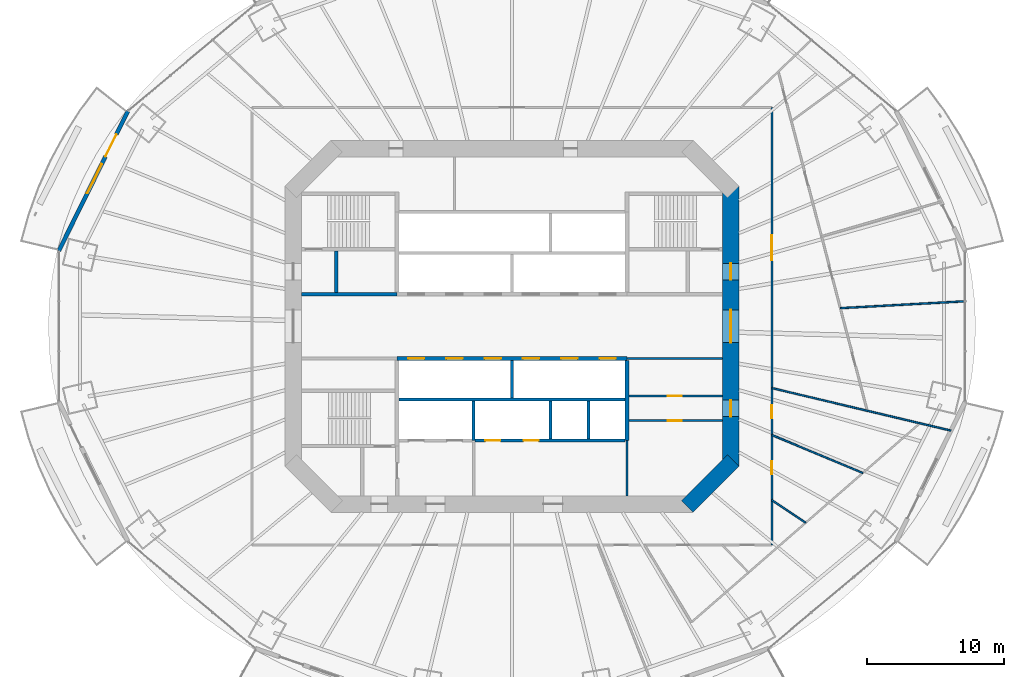
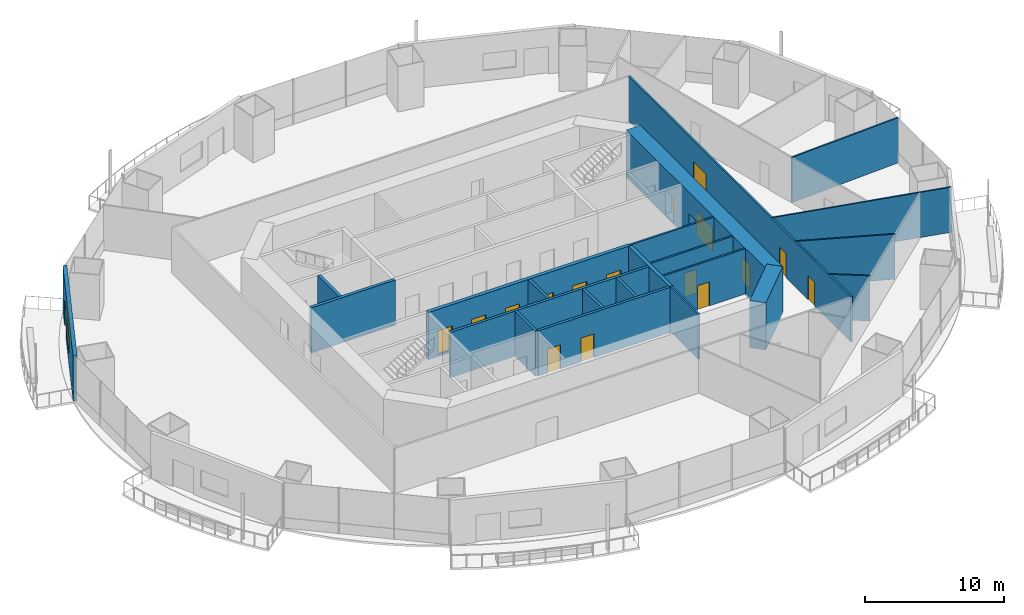
# One storey, part 14 of 21: 22 walls, 17 doors, 1 window, 18 openings.
"""IFC4 building model written with IfcOpenShell, lengths in metres."""

from ifc_helpers import new_model, si_unit, direction, frame, frame_2d, origin, place, context, subcontext, project, spatial, rectangle, extrude, material, layer, layer_set, type_object, element, fill, save


model = new_model("IFC4")

# Units and contexts
model_context = context("Model", 3, precision=1e-05, world=origin(), true_north=direction((0.0, 1.0)))
body_context = subcontext(model_context, "Body", "Model", "MODEL_VIEW")
ifc_project = project(units=[si_unit("LENGTHUNIT", "METRE"), si_unit("AREAUNIT", "SQUARE_METRE"), si_unit("VOLUMEUNIT", "CUBIC_METRE"), si_unit("PLANEANGLEUNIT", "RADIAN"), si_unit("MASSUNIT", "GRAM", prefix="KILO")], contexts=[model_context])

# Site, building, storey
site_placement = place(None, origin())
site = spatial("IfcSite", under=ifc_project, at=site_placement, CompositionType="ELEMENT")
building_placement = place(site_placement, origin())
building = spatial("IfcBuilding", under=site, at=building_placement, Name="Marenthal Gate Tower", CompositionType="ELEMENT")
storey_placement = place(building_placement, frame((0.0, 0.0, 120.14990234375)))
storey = spatial("IfcBuildingStorey", under=building, at=storey_placement, Name="L25", CompositionType="ELEMENT", Elevation=120.14990234375)

# Wall
ifc_material_1 = material(Name="Concrete 60 MPa", Category="concrete")
ifc_layer_1 = layer(ifc_material_1, 1.199951171875)
ifc_layer_set_1 = layer_set([ifc_layer_1], Name="Core shear wall 1200")
wall_type_1 = type_object("IfcWallType", Name="Core shear wall 1200", PredefinedType="SHEAR", material=ifc_layer_set_1)
wall_1_placement = place(storey_placement, frame((12.82421875, -13.17578125, -0.179931640625), z_axis=(0.0, 0.0, 1.0), x_axis=(0.707106781187, 0.707106781187, 0.0)))
element("IfcWall", 1, at=wall_1_placement, inside=storey, type_object=wall_type_1, Name="Core wall 01", PredefinedType="SHEAR", context=body_context, shape_type="SweptSolid", body=[
    extrude(rectangle(XDim=4.73974609375, YDim=1.199951171875, at=frame_2d((2.369873046875, 0.0))), origin(), (0.0, 0.0, 1.0), 4.150146484375),
])

# Wall, openings, doors
wall_2_placement = place(storey_placement, frame((16.0, -10.24853515625, -0.179931640625), z_axis=(0.0, 0.0, 1.0), x_axis=(0.0, 1.0, 0.0)))
wall_2 = element("IfcWall", 2, at=wall_2_placement, inside=storey, type_object=wall_type_1, Name="Core wall 02", PredefinedType="SHEAR", context=body_context, shape_type="SweptSolid", body=[
    extrude(rectangle(XDim=20.4970703125, YDim=1.199951171875, at=frame_2d((10.24853515625, 0.0))), origin(), (0.0, 0.0, 1.0), 4.150146484375),
])
opening_1_placement = place(wall_2_placement, frame((9.048583984375, 0.0, 0.179931640625)))
opening_1 = element("IfcOpeningElement", 3, at=opening_1_placement, cuts=wall_2, Name="Opening D003.02", PredefinedType="OPENING", context=body_context, shape_type="SweptSolid", body=[
    extrude(rectangle(XDim=2.39990234375, YDim=2.10009765625, at=frame_2d((1.199951171875, 1.050048828125))), frame((0.0, 0.60986328125, 0.0), z_axis=(0.0, -1.0, 0.0), x_axis=(1.0, 0.0, 0.0)), (0.0, 0.0, 1.0), 1.219970703125),
])
opening_2_placement = place(wall_2_placement, frame((13.6484375, 0.0, 0.179931640625)))
opening_2 = element("IfcOpeningElement", 4, at=opening_2_placement, cuts=wall_2, Name="Opening D001.05", PredefinedType="OPENING", context=body_context, shape_type="SweptSolid", body=[
    extrude(rectangle(XDim=1.199951171875, YDim=2.10009765625, at=frame_2d((0.60009765625, 1.050048828125))), frame((0.0, 0.60986328125, 0.0), z_axis=(0.0, -1.0, 0.0), x_axis=(1.0, 0.0, 0.0)), (0.0, 0.0, 1.0), 1.219970703125),
])
opening_3_placement = place(wall_2_placement, frame((3.6484375, 0.0, 0.179931640625)))
opening_3 = element("IfcOpeningElement", 5, at=opening_3_placement, cuts=wall_2, Name="Opening D006.01", PredefinedType="OPENING", context=body_context, shape_type="SweptSolid", body=[
    extrude(rectangle(XDim=1.199951171875, YDim=2.10009765625, at=frame_2d((0.60009765625, 1.050048828125))), frame((0.0, 0.60986328125, 0.0), z_axis=(0.0, -1.0, 0.0), x_axis=(1.0, 0.0, 0.0)), (0.0, 0.0, 1.0), 1.219970703125),
])
ifc_material_2 = material(Name="Steel fire door", Category="steel")
door_type_1 = type_object("IfcDoorType", Name="Double fire door FD 45 2400 x 2100", OperationType="DOUBLE_DOOR_SINGLE_SWING", PredefinedType="DOOR", material=ifc_material_2)
door_1_placement = place(opening_1_placement, origin())
door_1 = element("IfcDoor", 6, at=door_1_placement, inside=storey, type_object=door_type_1, Name="Door D003.02", OperationType="DOUBLE_DOOR_SINGLE_SWING", OverallHeight=2.10009765625, OverallWidth=2.39990234375, PredefinedType="DOOR", context=body_context, shape_type="SweptSolid", body=[
    extrude(rectangle(XDim=2.39990234375, YDim=2.10009765625, at=frame_2d((1.199951171875, 1.050048828125))), frame((0.0, 0.02490234375, 0.0), z_axis=(0.0, -1.0, 0.0), x_axis=(1.0, 0.0, 0.0)), (0.0, 0.0, 1.0), 0.050048828125),
])
fill(opening_1, door_1)
ifc_material_3 = material(Name="Steel fire door", Category="steel")
door_type_2 = type_object("IfcDoorType", Name="Fire door FD 45 1200 x 2100", OperationType="NOTDEFINED", PredefinedType="DOOR", material=ifc_material_3)
door_2_placement = place(opening_3_placement, origin())
door_2 = element("IfcDoor", 7, at=door_2_placement, inside=storey, type_object=door_type_2, Name="Door D006.01", OperationType="SINGLE_SWING_RIGHT", OverallHeight=2.10009765625, OverallWidth=1.199951171875, PredefinedType="DOOR", context=body_context, shape_type="SweptSolid", body=[
    extrude(rectangle(XDim=1.199951171875, YDim=2.10009765625, at=frame_2d((0.60009765625, 1.050048828125))), frame((0.0, 0.02490234375, 0.0), z_axis=(0.0, -1.0, 0.0), x_axis=(1.0, 0.0, 0.0)), (0.0, 0.0, 1.0), 0.050048828125),
])
fill(opening_3, door_2)
ifc_material_4 = material(Name="Steel fire door", Category="steel")
door_type_3 = type_object("IfcDoorType", Name="Fire door FD 90 1200 x 2100", OperationType="NOTDEFINED", PredefinedType="DOOR", material=ifc_material_4)
door_3_placement = place(opening_2_placement, origin())
door_3 = element("IfcDoor", 8, at=door_3_placement, inside=storey, type_object=door_type_3, Name="Door D001.05", OperationType="SINGLE_SWING_RIGHT", OverallHeight=2.10009765625, OverallWidth=1.199951171875, PredefinedType="DOOR", context=body_context, shape_type="SweptSolid", body=[
    extrude(rectangle(XDim=1.199951171875, YDim=2.10009765625, at=frame_2d((0.60009765625, 1.050048828125))), frame((0.0, 0.02490234375, 0.0), z_axis=(0.0, -1.0, 0.0), x_axis=(1.0, 0.0, 0.0)), (0.0, 0.0, 1.0), 0.050048828125),
])
fill(opening_2, door_3)

ifc_material_5 = material(Name="Concrete 50 MPa", Category="concrete")
ifc_layer_2 = layer(ifc_material_5, 0.300048828125)
ifc_layer_set_2 = layer_set([ifc_layer_2], Name="Hoistway shear wall 300")
wall_type_2 = type_object("IfcWallType", Name="Hoistway shear wall 300", PredefinedType="SHEAR", material=ifc_layer_set_2)
wall_3_placement = place(storey_placement, frame((-8.39990234375, -2.35009765625, -0.179931640625), z_axis=(0.0, 0.0, 1.0), x_axis=(1.0, 0.0, 0.0)))
wall_3 = element("IfcWall", 9, at=wall_3_placement, inside=storey, type_object=wall_type_2, Name="Hoistway wall 17", PredefinedType="SHEAR", context=body_context, shape_type="SweptSolid", body=[
    extrude(rectangle(XDim=16.7998046875, YDim=0.300048828125, at=frame_2d((8.39990234375, 0.0))), origin(), (0.0, 0.0, 1.0), 4.150146484375),
])
opening_4_placement = place(wall_3_placement, frame((0.800048828125, 0.0, 0.179931640625)))
opening_4 = element("IfcOpeningElement", 10, at=opening_4_placement, cuts=wall_3, Name="Opening LD-LP7", PredefinedType="OPENING", context=body_context, shape_type="SweptSolid", body=[
    extrude(rectangle(XDim=1.199951171875, YDim=2.10009765625, at=frame_2d((0.60009765625, 1.050048828125))), frame((0.0, 0.16015625, 0.0), z_axis=(0.0, -1.0, 0.0), x_axis=(1.0, 0.0, 0.0)), (0.0, 0.0, 1.0), 0.320068359375),
])
opening_5_placement = place(wall_3_placement, frame((3.60009765625, 0.0, 0.179931640625)))
opening_5 = element("IfcOpeningElement", 11, at=opening_5_placement, cuts=wall_3, Name="Opening LD-LP8", PredefinedType="OPENING", context=body_context, shape_type="SweptSolid", body=[
    extrude(rectangle(XDim=1.199951171875, YDim=2.10009765625, at=frame_2d((0.60009765625, 1.050048828125))), frame((0.0, 0.16015625, 0.0), z_axis=(0.0, -1.0, 0.0), x_axis=(1.0, 0.0, 0.0)), (0.0, 0.0, 1.0), 0.320068359375),
])
opening_6_placement = place(wall_3_placement, frame((6.39990234375, 0.0, 0.179931640625)))
opening_6 = element("IfcOpeningElement", 12, at=opening_6_placement, cuts=wall_3, Name="Opening LD-LP9", PredefinedType="OPENING", context=body_context, shape_type="SweptSolid", body=[
    extrude(rectangle(XDim=1.199951171875, YDim=2.10009765625, at=frame_2d((0.60009765625, 1.050048828125))), frame((0.0, 0.16015625, 0.0), z_axis=(0.0, -1.0, 0.0), x_axis=(1.0, 0.0, 0.0)), (0.0, 0.0, 1.0), 0.320068359375),
])
opening_7_placement = place(wall_3_placement, frame((9.199951171875, 0.0, 0.179931640625)))
opening_7 = element("IfcOpeningElement", 13, at=opening_7_placement, cuts=wall_3, Name="Opening LD-LP10", PredefinedType="OPENING", context=body_context, shape_type="SweptSolid", body=[
    extrude(rectangle(XDim=1.199951171875, YDim=2.10009765625, at=frame_2d((0.60009765625, 1.050048828125))), frame((0.0, 0.16015625, 0.0), z_axis=(0.0, -1.0, 0.0), x_axis=(1.0, 0.0, 0.0)), (0.0, 0.0, 1.0), 0.320068359375),
])
opening_8_placement = place(wall_3_placement, frame((12.0, 0.0, 0.179931640625)))
opening_8 = element("IfcOpeningElement", 14, at=opening_8_placement, cuts=wall_3, Name="Opening LD-LP11", PredefinedType="OPENING", context=body_context, shape_type="SweptSolid", body=[
    extrude(rectangle(XDim=1.199951171875, YDim=2.10009765625, at=frame_2d((0.60009765625, 1.050048828125))), frame((0.0, 0.16015625, 0.0), z_axis=(0.0, -1.0, 0.0), x_axis=(1.0, 0.0, 0.0)), (0.0, 0.0, 1.0), 0.320068359375),
])
opening_9_placement = place(wall_3_placement, frame((14.800048828125, 0.0, 0.179931640625)))
opening_9 = element("IfcOpeningElement", 15, at=opening_9_placement, cuts=wall_3, Name="Opening LD-LP12", PredefinedType="OPENING", context=body_context, shape_type="SweptSolid", body=[
    extrude(rectangle(XDim=1.199951171875, YDim=2.10009765625, at=frame_2d((0.60009765625, 1.050048828125))), frame((0.0, 0.16015625, 0.0), z_axis=(0.0, -1.0, 0.0), x_axis=(1.0, 0.0, 0.0)), (0.0, 0.0, 1.0), 0.320068359375),
])
ifc_material_6 = material(Name="Stainless steel sliding door", Category="steel")
door_type_4 = type_object("IfcDoorType", Name="Lift landing door FD 90 1200 x 2100", OperationType="DOUBLE_DOOR_SLIDING", PredefinedType="DOOR", material=ifc_material_6)
door_4_placement = place(opening_4_placement, origin())
door_4 = element("IfcDoor", 16, at=door_4_placement, inside=storey, type_object=door_type_4, Name="Lift landing door LP7", OperationType="DOUBLE_DOOR_SLIDING", OverallHeight=2.10009765625, OverallWidth=1.199951171875, PredefinedType="DOOR", context=body_context, shape_type="SweptSolid", body=[
    extrude(rectangle(XDim=1.199951171875, YDim=2.10009765625, at=frame_2d((0.60009765625, 1.050048828125))), frame((0.0, 0.02490234375, 0.0), z_axis=(0.0, -1.0, 0.0), x_axis=(1.0, 0.0, 0.0)), (0.0, 0.0, 1.0), 0.050048828125),
])
fill(opening_4, door_4)
door_5_placement = place(opening_5_placement, origin())
door_5 = element("IfcDoor", 17, at=door_5_placement, inside=storey, type_object=door_type_4, Name="Lift landing door LP8", OperationType="DOUBLE_DOOR_SLIDING", OverallHeight=2.10009765625, OverallWidth=1.199951171875, PredefinedType="DOOR", context=body_context, shape_type="SweptSolid", body=[
    extrude(rectangle(XDim=1.199951171875, YDim=2.10009765625, at=frame_2d((0.60009765625, 1.050048828125))), frame((0.0, 0.02490234375, 0.0), z_axis=(0.0, -1.0, 0.0), x_axis=(1.0, 0.0, 0.0)), (0.0, 0.0, 1.0), 0.050048828125),
])
fill(opening_5, door_5)
door_6_placement = place(opening_6_placement, origin())
door_6 = element("IfcDoor", 18, at=door_6_placement, inside=storey, type_object=door_type_4, Name="Lift landing door LP9", OperationType="DOUBLE_DOOR_SLIDING", OverallHeight=2.10009765625, OverallWidth=1.199951171875, PredefinedType="DOOR", context=body_context, shape_type="SweptSolid", body=[
    extrude(rectangle(XDim=1.199951171875, YDim=2.10009765625, at=frame_2d((0.60009765625, 1.050048828125))), frame((0.0, 0.02490234375, 0.0), z_axis=(0.0, -1.0, 0.0), x_axis=(1.0, 0.0, 0.0)), (0.0, 0.0, 1.0), 0.050048828125),
])
fill(opening_6, door_6)
door_7_placement = place(opening_7_placement, origin())
door_7 = element("IfcDoor", 19, at=door_7_placement, inside=storey, type_object=door_type_4, Name="Lift landing door LP10", OperationType="DOUBLE_DOOR_SLIDING", OverallHeight=2.10009765625, OverallWidth=1.199951171875, PredefinedType="DOOR", context=body_context, shape_type="SweptSolid", body=[
    extrude(rectangle(XDim=1.199951171875, YDim=2.10009765625, at=frame_2d((0.60009765625, 1.050048828125))), frame((0.0, 0.02490234375, 0.0), z_axis=(0.0, -1.0, 0.0), x_axis=(1.0, 0.0, 0.0)), (0.0, 0.0, 1.0), 0.050048828125),
])
fill(opening_7, door_7)
door_8_placement = place(opening_8_placement, origin())
door_8 = element("IfcDoor", 20, at=door_8_placement, inside=storey, type_object=door_type_4, Name="Lift landing door LP11", OperationType="DOUBLE_DOOR_SLIDING", OverallHeight=2.10009765625, OverallWidth=1.199951171875, PredefinedType="DOOR", context=body_context, shape_type="SweptSolid", body=[
    extrude(rectangle(XDim=1.199951171875, YDim=2.10009765625, at=frame_2d((0.60009765625, 1.050048828125))), frame((0.0, 0.02490234375, 0.0), z_axis=(0.0, -1.0, 0.0), x_axis=(1.0, 0.0, 0.0)), (0.0, 0.0, 1.0), 0.050048828125),
])
fill(opening_8, door_8)
door_9_placement = place(opening_9_placement, origin())
door_9 = element("IfcDoor", 21, at=door_9_placement, inside=storey, type_object=door_type_4, Name="Lift landing door LP12", OperationType="DOUBLE_DOOR_SLIDING", OverallHeight=2.10009765625, OverallWidth=1.199951171875, PredefinedType="DOOR", context=body_context, shape_type="SweptSolid", body=[
    extrude(rectangle(XDim=1.199951171875, YDim=2.10009765625, at=frame_2d((0.60009765625, 1.050048828125))), frame((0.0, 0.02490234375, 0.0), z_axis=(0.0, -1.0, 0.0), x_axis=(1.0, 0.0, 0.0)), (0.0, 0.0, 1.0), 0.050048828125),
])
fill(opening_9, door_9)

# Wall
wall_4_placement = place(storey_placement, frame((8.39990234375, -8.35009765625, -0.179931640625), z_axis=(0.0, 0.0, 1.0), x_axis=(0.0, 1.0, 0.0)))
element("IfcWall", 22, at=wall_4_placement, inside=storey, type_object=wall_type_2, Name="Hoistway wall 43", PredefinedType="SHEAR", context=body_context, shape_type="SweptSolid", body=[
    extrude(rectangle(XDim=5.85009765625, YDim=0.300048828125, at=frame_2d((2.925048828125, 0.0))), origin(), (0.0, 0.0, 1.0), 4.150146484375),
])

# Wall, openings, doors
ifc_material_7 = material(Name="Concrete 40 MPa", Category="concrete")
ifc_layer_3 = layer(ifc_material_7, 0.219970703125)
ifc_layer_set_3 = layer_set([ifc_layer_3], Name="Hoistway wall 220")
wall_type_3 = type_object("IfcWallType", Name="Hoistway wall 220", PredefinedType="STANDARD", material=ifc_layer_set_3)
wall_5_placement = place(storey_placement, frame((-2.68994140625, -8.35009765625, 0.0), z_axis=(0.0, 0.0, 1.0), x_axis=(1.0, 0.0, 0.0)))
wall_5 = element("IfcWall", 23, at=wall_5_placement, inside=storey, type_object=wall_type_3, Name="Hoistway wall 11", PredefinedType="STANDARD", context=body_context, shape_type="SweptSolid", body=[
    extrude(rectangle(XDim=10.93994140625, YDim=0.219970703125, at=frame_2d((5.469970703125, 0.0))), origin(), (0.0, 0.0, 1.0), 3.97021484375),
])
opening_10_placement = place(wall_5_placement, frame((0.739990234375, 0.0, 0.0)))
opening_10 = element("IfcOpeningElement", 24, at=opening_10_placement, cuts=wall_5, Name="Opening LD-SV1", PredefinedType="OPENING", context=body_context, shape_type="SweptSolid", body=[
    extrude(rectangle(XDim=1.10009765625, YDim=2.10009765625, at=frame_2d((0.550048828125, 1.050048828125))), frame((0.0, 0.1201171875, 0.0), z_axis=(0.0, -1.0, 0.0), x_axis=(1.0, 0.0, 0.0)), (0.0, 0.0, 1.0), 0.239990234375),
])
opening_11_placement = place(wall_5_placement, frame((3.5400390625, 0.0, 0.0)))
opening_11 = element("IfcOpeningElement", 25, at=opening_11_placement, cuts=wall_5, Name="Opening LD-SV2", PredefinedType="OPENING", context=body_context, shape_type="SweptSolid", body=[
    extrude(rectangle(XDim=1.10009765625, YDim=2.10009765625, at=frame_2d((0.550048828125, 1.050048828125))), frame((0.0, 0.1201171875, 0.0), z_axis=(0.0, -1.0, 0.0), x_axis=(1.0, 0.0, 0.0)), (0.0, 0.0, 1.0), 0.239990234375),
])
ifc_material_8 = material(Name="Stainless steel sliding door", Category="steel")
door_type_5 = type_object("IfcDoorType", Name="Lift landing door FD 90 1100 x 2100", OperationType="DOUBLE_DOOR_SLIDING", PredefinedType="DOOR", material=ifc_material_8)
door_10_placement = place(opening_10_placement, origin())
door_10 = element("IfcDoor", 26, at=door_10_placement, inside=storey, type_object=door_type_5, Name="Lift landing door SV1", OperationType="DOUBLE_DOOR_SLIDING", OverallHeight=2.10009765625, OverallWidth=1.10009765625, PredefinedType="DOOR", context=body_context, shape_type="SweptSolid", body=[
    extrude(rectangle(XDim=1.10009765625, YDim=2.10009765625, at=frame_2d((0.550048828125, 1.050048828125))), frame((0.0, 0.02490234375, 0.0), z_axis=(0.0, -1.0, 0.0), x_axis=(1.0, 0.0, 0.0)), (0.0, 0.0, 1.0), 0.050048828125),
])
fill(opening_10, door_10)
door_11_placement = place(opening_11_placement, origin())
door_11 = element("IfcDoor", 27, at=door_11_placement, inside=storey, type_object=door_type_5, Name="Lift landing door SV2", OperationType="DOUBLE_DOOR_SLIDING", OverallHeight=2.10009765625, OverallWidth=1.10009765625, PredefinedType="DOOR", context=body_context, shape_type="SweptSolid", body=[
    extrude(rectangle(XDim=1.10009765625, YDim=2.10009765625, at=frame_2d((0.550048828125, 1.050048828125))), frame((0.0, 0.02490234375, 0.0), z_axis=(0.0, -1.0, 0.0), x_axis=(1.0, 0.0, 0.0)), (0.0, 0.0, 1.0), 0.050048828125),
])
fill(opening_11, door_11)

# Walls
wall_6_placement = place(storey_placement, frame((-8.25, -5.35009765625, 0.0), z_axis=(0.0, 0.0, 1.0), x_axis=(1.0, 0.0, 0.0)))
element("IfcWall", 28, at=wall_6_placement, inside=storey, type_object=wall_type_3, Name="Hoistway wall 13", PredefinedType="STANDARD", context=body_context, shape_type="SweptSolid", body=[
    extrude(rectangle(XDim=16.5, YDim=0.219970703125, at=frame_2d((8.25, 0.0))), origin(), (0.0, 0.0, 1.0), 3.97021484375),
])
wall_7_placement = place(storey_placement, frame((-2.800048828125, -8.35009765625, 0.0), z_axis=(0.0, 0.0, 1.0), x_axis=(0.0, 1.0, 0.0)))
element("IfcWall", 29, at=wall_7_placement, inside=storey, type_object=wall_type_3, Name="Hoistway wall 36", PredefinedType="STANDARD", context=body_context, shape_type="SweptSolid", body=[
    extrude(rectangle(XDim=2.89013671875, YDim=0.219970703125, at=frame_2d((1.445068359375, 0.0))), origin(), (0.0, 0.0, 1.0), 3.97021484375),
])
wall_8_placement = place(storey_placement, frame((0.0, -5.239990234375, 0.0), z_axis=(0.0, 0.0, 1.0), x_axis=(0.0, 1.0, 0.0)))
element("IfcWall", 30, at=wall_8_placement, inside=storey, type_object=wall_type_3, Name="Hoistway wall 37", PredefinedType="STANDARD", context=body_context, shape_type="SweptSolid", body=[
    extrude(rectangle(XDim=2.739990234375, YDim=0.219970703125, at=frame_2d((1.3701171875, 0.0))), origin(), (0.0, 0.0, 1.0), 3.97021484375),
])
for number, where, z_axis, x_axis, name in (
    (31, (2.800048828125, -8.239990234375, 0.0), (0.0, 0.0, 1.0), (0.0, 1.0, 0.0), "Hoistway wall 39"),
    (32, (5.60009765625, -8.239990234375, 0.0), (0.0, 0.0, 1.0), (0.0, 1.0, 0.0), "Hoistway wall 41"),
):
    element("IfcWall", number, at=place(storey_placement, frame(where, z_axis=z_axis, x_axis=x_axis)), inside=storey, type_object=wall_type_3, Name=name, PredefinedType="STANDARD", context=body_context, shape_type="SweptSolid", body=[
        extrude(rectangle(XDim=2.780029296875, YDim=0.219970703125, at=frame_2d((1.39013671875, 0.0))), origin(), (0.0, 0.0, 1.0), 3.97021484375),
    ])
ifc_material_9 = material(Name="Gypsum board on steel studs", Category="steel")
ifc_layer_4 = layer(ifc_material_9, 0.1201171875)
ifc_layer_set_4 = layer_set([ifc_layer_4], Name="Partition 120")
wall_type_4 = type_object("IfcWallType", Name="Partition 120", PredefinedType="PARTITIONING", material=ifc_layer_set_4)
wall_9_placement = place(storey_placement, frame((19.0, -4.5146484375, 0.0), z_axis=(0.0, 0.0, 1.0), x_axis=(0.972908867851, -0.231188959202, 0.0)))
element("IfcWall", 33, at=wall_9_placement, inside=storey, type_object=wall_type_4, Name="Partition wall 56", PredefinedType="PARTITIONING", context=body_context, shape_type="SweptSolid", body=[
    extrude(rectangle(XDim=13.461181640625, YDim=0.1201171875, at=frame_2d((6.73046875, 0.0))), origin(), (0.0, 0.0, 1.0), 3.97021484375),
])
wall_10_placement = place(storey_placement, frame((21.4765625, -14.363037109375, 0.0), z_axis=(0.0, 0.0, 1.0), x_axis=(-0.831242578358, 0.555909863129, 0.0)))
element("IfcWall", 34, at=wall_10_placement, inside=storey, type_object=wall_type_4, Name="Partition wall 58", PredefinedType="PARTITIONING", context=body_context, shape_type="SweptSolid", body=[
    extrude(rectangle(XDim=2.979248046875, YDim=0.1201171875, at=frame_2d((1.48974609375, 0.0))), origin(), (0.0, 0.0, 1.0), 3.97021484375),
])
wall_11_placement = place(storey_placement, frame((25.653076171875, -10.7255859375, 0.0), z_axis=(0.0, 0.0, 1.0), x_axis=(-0.922602442877, 0.385752164476, 0.0)))
element("IfcWall", 35, at=wall_11_placement, inside=storey, type_object=wall_type_4, Name="Partition wall 60", PredefinedType="PARTITIONING", context=body_context, shape_type="SweptSolid", body=[
    extrude(rectangle(XDim=7.211181640625, YDim=0.1201171875, at=frame_2d((3.60546875, 0.0))), origin(), (0.0, 0.0, 1.0), 3.97021484375),
])
wall_12_placement = place(storey_placement, frame((33.134765625, 1.831787109375, 0.0), z_axis=(0.0, 0.0, 1.0), x_axis=(-0.998475116473, -0.055203639227, 0.0)))
element("IfcWall", 36, at=wall_12_placement, inside=storey, type_object=wall_type_4, Name="Partition wall 63", PredefinedType="PARTITIONING", context=body_context, shape_type="SweptSolid", body=[
    extrude(rectangle(XDim=9.136962890625, YDim=0.1201171875, at=frame_2d((4.568359375, 0.0))), origin(), (0.0, 0.0, 1.0), 3.97021484375),
])

# Wall, opening, door
ifc_material_10 = material(Name="Gypsum board on steel studs", Category="steel")
ifc_layer_5 = layer(ifc_material_10, 0.14990234375)
ifc_layer_set_5 = layer_set([ifc_layer_5], Name="Partition 150")
wall_type_5 = type_object("IfcWallType", Name="Partition 150", PredefinedType="PARTITIONING", material=ifc_layer_set_5)
wall_13_placement = place(storey_placement, frame((8.550048828125, -6.89990234375, 0.0), z_axis=(0.0, 0.0, 1.0), x_axis=(1.0, 0.0, 0.0)))
wall_13 = element("IfcWall", 37, at=wall_13_placement, inside=storey, type_object=wall_type_5, Name="Partition wall 12", PredefinedType="PARTITIONING", context=body_context, shape_type="SweptSolid", body=[
    extrude(rectangle(XDim=6.849853515625, YDim=0.14990234375, at=frame_2d((3.4248046875, 0.0))), origin(), (0.0, 0.0, 1.0), 3.97021484375),
])
opening_12_placement = place(wall_13_placement, frame((2.85009765625, 0.0, 0.0)))
opening_12 = element("IfcOpeningElement", 38, at=opening_12_placement, cuts=wall_13, Name="Opening D005.04", PredefinedType="OPENING", context=body_context, shape_type="SweptSolid", body=[
    extrude(rectangle(XDim=1.0, YDim=2.10009765625, at=frame_2d((0.5, 1.050048828125))), frame((0.0, 0.0849609375, 0.0), z_axis=(0.0, -1.0, 0.0), x_axis=(1.0, 0.0, 0.0)), (0.0, 0.0, 1.0), 0.169921875),
])
ifc_material_11 = material(Name="Steel fire door", Category="steel")
door_type_6 = type_object("IfcDoorType", Name="Fire door FD 45 1000 x 2100", OperationType="NOTDEFINED", PredefinedType="DOOR", material=ifc_material_11)
door_12_placement = place(opening_12_placement, frame((1.0, 0.0, 0.0), z_axis=(0.0, 0.0, 1.0), x_axis=(-1.0, 0.0, 0.0)))
door_12 = element("IfcDoor", 39, at=door_12_placement, inside=storey, type_object=door_type_6, Name="Door D005.04", OperationType="SINGLE_SWING_LEFT", OverallHeight=2.10009765625, OverallWidth=1.0, PredefinedType="DOOR", context=body_context, shape_type="SweptSolid", body=[
    extrude(rectangle(XDim=1.0, YDim=2.10009765625, at=frame_2d((0.5, 1.050048828125))), frame((0.0, 0.02490234375, 0.0), z_axis=(0.0, -1.0, 0.0), x_axis=(1.0, 0.0, 0.0)), (0.0, 0.0, 1.0), 0.050048828125),
])
fill(opening_12, door_12)

wall_14_placement = place(storey_placement, frame((8.550048828125, -5.10009765625, 0.0), z_axis=(0.0, 0.0, 1.0), x_axis=(1.0, 0.0, 0.0)))
wall_14 = element("IfcWall", 40, at=wall_14_placement, inside=storey, type_object=wall_type_5, Name="Partition wall 14", PredefinedType="PARTITIONING", context=body_context, shape_type="SweptSolid", body=[
    extrude(rectangle(XDim=6.849853515625, YDim=0.14990234375, at=frame_2d((3.4248046875, 0.0))), origin(), (0.0, 0.0, 1.0), 3.97021484375),
])
opening_13_placement = place(wall_14_placement, frame((2.85009765625, 0.0, 0.0)))
opening_13 = element("IfcOpeningElement", 41, at=opening_13_placement, cuts=wall_14, Name="Opening D005.03", PredefinedType="OPENING", context=body_context, shape_type="SweptSolid", body=[
    extrude(rectangle(XDim=1.0, YDim=2.10009765625, at=frame_2d((0.5, 1.050048828125))), frame((0.0, 0.0849609375, 0.0), z_axis=(0.0, -1.0, 0.0), x_axis=(1.0, 0.0, 0.0)), (0.0, 0.0, 1.0), 0.169921875),
])
door_13_placement = place(opening_13_placement, origin())
door_13 = element("IfcDoor", 42, at=door_13_placement, inside=storey, type_object=door_type_6, Name="Door D005.03", OperationType="SINGLE_SWING_RIGHT", OverallHeight=2.10009765625, OverallWidth=1.0, PredefinedType="DOOR", context=body_context, shape_type="SweptSolid", body=[
    extrude(rectangle(XDim=1.0, YDim=2.10009765625, at=frame_2d((0.5, 1.050048828125))), frame((0.0, 0.02490234375, 0.0), z_axis=(0.0, -1.0, 0.0), x_axis=(1.0, 0.0, 0.0)), (0.0, 0.0, 1.0), 0.050048828125),
])
fill(opening_13, door_13)

# Walls
wall_15_placement = place(storey_placement, frame((8.39990234375, -2.35009765625, 0.0), z_axis=(0.0, 0.0, 1.0), x_axis=(1.0, 0.0, 0.0)))
element("IfcWall", 43, at=wall_15_placement, inside=storey, type_object=wall_type_5, Name="Partition wall 18", PredefinedType="PARTITIONING", context=body_context, shape_type="SweptSolid", body=[
    extrude(rectangle(XDim=7.0, YDim=0.14990234375, at=frame_2d((3.5, 0.0))), origin(), (0.0, 0.0, 1.0), 3.97021484375),
])
wall_16_placement = place(storey_placement, frame((8.39990234375, -12.39990234375, 0.0), z_axis=(0.0, 0.0, 1.0), x_axis=(0.0, 1.0, 0.0)))
element("IfcWall", 44, at=wall_16_placement, inside=storey, type_object=wall_type_5, Name="Partition wall 42", PredefinedType="PARTITIONING", context=body_context, shape_type="SweptSolid", body=[
    extrude(rectangle(XDim=4.0498046875, YDim=0.14990234375, at=frame_2d((2.02490234375, 0.0))), origin(), (0.0, 0.0, 1.0), 3.97021484375),
])

# Wall, openings, doors
wall_17_placement = place(storey_placement, frame((19.0, 16.0, 0.0), z_axis=(0.0, 0.0, 1.0), x_axis=(0.0, -1.0, 0.0)))
wall_17 = element("IfcWall", 45, at=wall_17_placement, inside=storey, type_object=wall_type_5, Name="Partition wall 57", PredefinedType="PARTITIONING", context=body_context, shape_type="SweptSolid", body=[
    extrude(rectangle(XDim=32.0, YDim=0.14990234375, at=frame_2d((16.0, 0.0))), origin(), (0.0, 0.0, 1.0), 3.97021484375),
])
opening_14_placement = place(wall_17_placement, frame((25.85107421875, 0.0, 0.0)))
opening_14 = element("IfcOpeningElement", 46, at=opening_14_placement, cuts=wall_17, Name="Opening D016.03", PredefinedType="OPENING", context=body_context, shape_type="SweptSolid", body=[
    extrude(rectangle(XDim=0.949951171875, YDim=2.10009765625, at=frame_2d((0.47509765625, 1.050048828125))), frame((0.0, 0.0849609375, 0.0), z_axis=(0.0, -1.0, 0.0), x_axis=(1.0, 0.0, 0.0)), (0.0, 0.0, 1.0), 0.169921875),
])
opening_15_placement = place(wall_17_placement, frame((21.7548828125, 0.0, 0.0)))
opening_15 = element("IfcOpeningElement", 47, at=opening_15_placement, cuts=wall_17, Name="Opening D016.04", PredefinedType="OPENING", context=body_context, shape_type="SweptSolid", body=[
    extrude(rectangle(XDim=0.949951171875, YDim=2.10009765625, at=frame_2d((0.47509765625, 1.050048828125))), frame((0.0, 0.0849609375, 0.0), z_axis=(0.0, -1.0, 0.0), x_axis=(1.0, 0.0, 0.0)), (0.0, 0.0, 1.0), 0.169921875),
])
opening_16_placement = place(wall_17_placement, frame((9.35791015625, 0.0, 0.0)))
opening_16 = element("IfcOpeningElement", 48, at=opening_16_placement, cuts=wall_17, Name="Opening D014.03", PredefinedType="OPENING", context=body_context, shape_type="SweptSolid", body=[
    extrude(rectangle(XDim=1.800048828125, YDim=2.10009765625, at=frame_2d((0.89990234375, 1.050048828125))), frame((0.0, 0.0849609375, 0.0), z_axis=(0.0, -1.0, 0.0), x_axis=(1.0, 0.0, 0.0)), (0.0, 0.0, 1.0), 0.169921875),
])
ifc_material_12 = material(Name="Timber door", Category="wood")
door_type_7 = type_object("IfcDoorType", Name="Door 950 x 2100", OperationType="NOTDEFINED", PredefinedType="DOOR", material=ifc_material_12)
door_14_placement = place(opening_14_placement, origin())
door_14 = element("IfcDoor", 49, at=door_14_placement, inside=storey, type_object=door_type_7, Name="Door D016.03", OperationType="SINGLE_SWING_RIGHT", OverallHeight=2.10009765625, OverallWidth=0.949951171875, PredefinedType="DOOR", context=body_context, shape_type="SweptSolid", body=[
    extrude(rectangle(XDim=0.949951171875, YDim=2.10009765625, at=frame_2d((0.47509765625, 1.050048828125))), frame((0.0, 0.02490234375, 0.0), z_axis=(0.0, -1.0, 0.0), x_axis=(1.0, 0.0, 0.0)), (0.0, 0.0, 1.0), 0.050048828125),
])
fill(opening_14, door_14)
door_15_placement = place(opening_15_placement, origin())
door_15 = element("IfcDoor", 50, at=door_15_placement, inside=storey, type_object=door_type_7, Name="Door D016.04", OperationType="SINGLE_SWING_RIGHT", OverallHeight=2.10009765625, OverallWidth=0.949951171875, PredefinedType="DOOR", context=body_context, shape_type="SweptSolid", body=[
    extrude(rectangle(XDim=0.949951171875, YDim=2.10009765625, at=frame_2d((0.47509765625, 1.050048828125))), frame((0.0, 0.02490234375, 0.0), z_axis=(0.0, -1.0, 0.0), x_axis=(1.0, 0.0, 0.0)), (0.0, 0.0, 1.0), 0.050048828125),
])
fill(opening_15, door_15)
ifc_material_13 = material(Name="Timber door", Category="wood")
door_type_8 = type_object("IfcDoorType", Name="Double door 1800 x 2100", OperationType="DOUBLE_DOOR_SINGLE_SWING", PredefinedType="DOOR", material=ifc_material_13)
door_16_placement = place(opening_16_placement, origin())
door_16 = element("IfcDoor", 51, at=door_16_placement, inside=storey, type_object=door_type_8, Name="Door D014.03", OperationType="DOUBLE_DOOR_SINGLE_SWING", OverallHeight=2.10009765625, OverallWidth=1.800048828125, PredefinedType="DOOR", context=body_context, shape_type="SweptSolid", body=[
    extrude(rectangle(XDim=1.800048828125, YDim=2.10009765625, at=frame_2d((0.89990234375, 1.050048828125))), frame((0.0, 0.02490234375, 0.0), z_axis=(0.0, -1.0, 0.0), x_axis=(1.0, 0.0, 0.0)), (0.0, 0.0, 1.0), 0.050048828125),
])
fill(opening_16, door_16)

# Walls
ifc_material_14 = material(Name="Concrete 40 MPa", Category="concrete")
ifc_layer_6 = layer(ifc_material_14, 0.25)
ifc_layer_set_6 = layer_set([ifc_layer_6], Name="Stair enclosure wall 250")
wall_type_6 = type_object("IfcWallType", Name="Stair enclosure wall 250", PredefinedType="STANDARD", material=ifc_layer_set_6)
wall_18_placement = place(storey_placement, frame((-15.39990234375, 2.35009765625, 0.0), z_axis=(0.0, 0.0, 1.0), x_axis=(1.0, 0.0, 0.0)))
element("IfcWall", 52, at=wall_18_placement, inside=storey, type_object=wall_type_6, Name="Stair wall 19", PredefinedType="STANDARD", context=body_context, shape_type="SweptSolid", body=[
    extrude(rectangle(XDim=7.0, YDim=0.25, at=frame_2d((3.5, 0.0))), origin(), (0.0, 0.0, 1.0), 3.97021484375),
])
wall_19_placement = place(storey_placement, frame((-12.85009765625, 2.47509765625, 0.0), z_axis=(0.0, 0.0, 1.0), x_axis=(0.0, 1.0, 0.0)))
element("IfcWall", 53, at=wall_19_placement, inside=storey, type_object=wall_type_6, Name="Stair wall 28", PredefinedType="STANDARD", context=body_context, shape_type="SweptSolid", body=[
    extrude(rectangle(XDim=3.0498046875, YDim=0.25, at=frame_2d((1.52490234375, 0.0))), origin(), (0.0, 0.0, 1.0), 3.97021484375),
])

# Wall, openings, door, window
ifc_material_15 = material(Name="Terracotta cladding on insulated concrete-block backing", Category="masonry")
ifc_layer_7 = layer(ifc_material_15, 0.300048828125)
ifc_layer_set_7 = layer_set([ifc_layer_7], Name="Terracotta facade wall 300")
wall_type_7 = type_object("IfcWallType", Name="Terracotta facade wall 300", PredefinedType="SOLIDWALL", material=ifc_layer_set_7)
wall_20_placement = place(storey_placement, frame((-28.09033203125, 15.73486328125, 0.0), z_axis=(0.0, 0.0, 1.0), x_axis=(-0.442972236493, -0.896535329865, 0.0)))
wall_20 = element("IfcWall", 54, at=wall_20_placement, inside=storey, type_object=wall_type_7, Name="Terracotta facade wall L25 bay 7", PredefinedType="SOLIDWALL", context=body_context, shape_type="SweptSolid", body=[
    extrude(rectangle(XDim=11.3876953125, YDim=0.300048828125, at=frame_2d((5.69384765625, 0.0))), origin(), (0.0, 0.0, 1.0), 3.97021484375),
])
opening_17_placement = place(wall_20_placement, frame((1.89990234375, 0.0, 0.0)))
opening_17 = element("IfcOpeningElement", 55, at=opening_17_placement, cuts=wall_20, Name="Opening BD-L25-07", PredefinedType="OPENING", context=body_context, shape_type="SweptSolid", body=[
    extrude(rectangle(XDim=1.800048828125, YDim=2.39990234375, at=frame_2d((0.89990234375, 1.199951171875))), frame((0.0, 0.16015625, 0.0), z_axis=(0.0, -1.0, 0.0), x_axis=(1.0, 0.0, 0.0)), (0.0, 0.0, 1.0), 0.320068359375),
])
opening_18_placement = place(wall_20_placement, frame((4.300048828125, 0.0, 0.89990234375)))
opening_18 = element("IfcOpeningElement", 56, at=opening_18_placement, cuts=wall_20, Name="Opening WN1-L25-07", PredefinedType="OPENING", context=body_context, shape_type="SweptSolid", body=[
    extrude(rectangle(XDim=2.39990234375, YDim=1.5, at=frame_2d((1.199951171875, 0.75))), frame((0.0, 0.16015625, 0.0), z_axis=(0.0, -1.0, 0.0), x_axis=(1.0, 0.0, 0.0)), (0.0, 0.0, 1.0), 0.320068359375),
])
ifc_material_16 = material(Name="Aluminium and glass", Category="aluminium")
door_type_9 = type_object("IfcDoorType", Name="Balcony door 1800x2400", OperationType="DOUBLE_DOOR_SINGLE_SWING", PredefinedType="DOOR", material=ifc_material_16)
door_17_placement = place(opening_17_placement, origin())
door_17 = element("IfcDoor", 57, at=door_17_placement, inside=storey, type_object=door_type_9, Name="Balcony door L25 bay 7", OperationType="SINGLE_SWING_LEFT", OverallHeight=2.39990234375, OverallWidth=1.800048828125, PredefinedType="DOOR", context=body_context, shape_type="SweptSolid", body=[
    extrude(rectangle(XDim=1.800048828125, YDim=2.39990234375, at=frame_2d((0.89990234375, 1.199951171875))), frame((0.0, 0.02490234375, 0.0), z_axis=(0.0, -1.0, 0.0), x_axis=(1.0, 0.0, 0.0)), (0.0, 0.0, 1.0), 0.050048828125),
])
fill(opening_17, door_17)
ifc_material_17 = material(Name="Aluminium and glass", Category="aluminium")
window_type = type_object("IfcWindowType", Name="Window 2400x1500", PartitioningType="TRIPLE_PANEL_VERTICAL", PredefinedType="WINDOW", material=ifc_material_17)
window_placement = place(opening_18_placement, origin())
window = element("IfcWindow", 58, at=window_placement, inside=storey, type_object=window_type, Name="Window L25 bay 7", OverallHeight=1.5, OverallWidth=2.39990234375, PartitioningType="SINGLE_PANEL", PredefinedType="WINDOW", context=body_context, shape_type="SweptSolid", body=[
    extrude(rectangle(XDim=2.39990234375, YDim=1.5, at=frame_2d((1.199951171875, 0.75))), frame((0.0, 0.030029296875, 0.0), z_axis=(0.0, -1.0, 0.0), x_axis=(1.0, 0.0, 0.0)), (0.0, 0.0, 1.0), 0.06005859375),
])
fill(opening_18, window)

save(model, "model.ifc")
